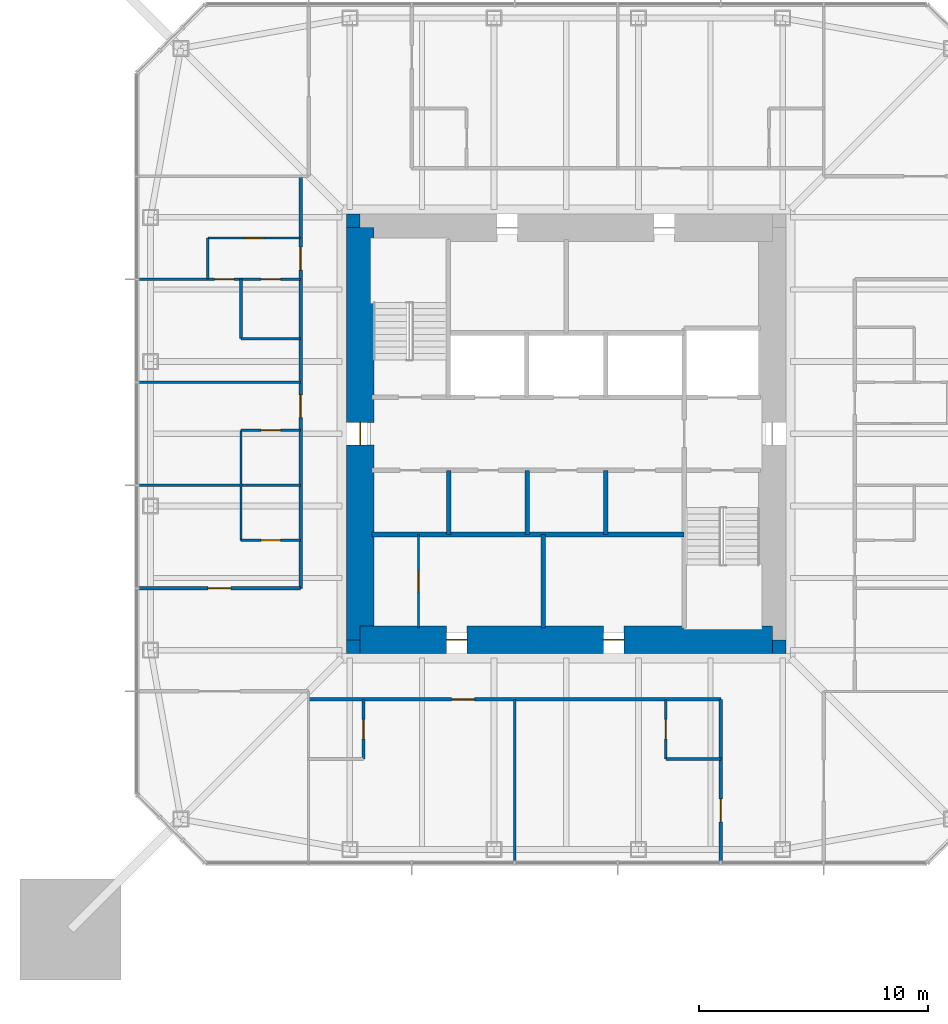
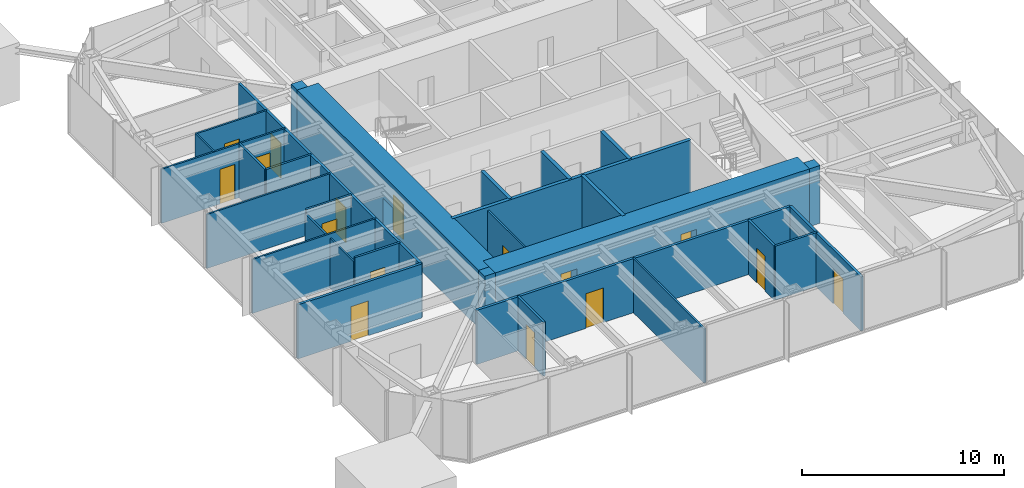
# One storey, part 6 of 11: 29 walls, 16 doors, 16 openings.
"""IFC4 building model written with IfcOpenShell, lengths in metres."""

from ifc_helpers import new_model, si_unit, direction, frame, frame_2d, origin, place, context, subcontext, project, spatial, rectangle, extrude, material, layer, layer_set, type_object, element, fill, save


model = new_model("IFC4")

# Units and contexts
model_context = context("Model", 3, precision=1e-05, world=origin(), true_north=direction((0.0, 1.0)))
body_context = subcontext(model_context, "Body", "Model", "MODEL_VIEW")
ifc_project = project(units=[si_unit("LENGTHUNIT", "METRE"), si_unit("AREAUNIT", "SQUARE_METRE"), si_unit("VOLUMEUNIT", "CUBIC_METRE"), si_unit("PLANEANGLEUNIT", "RADIAN"), si_unit("MASSUNIT", "GRAM", prefix="KILO")], contexts=[model_context])

# Site, building, storey
site_placement = place(None, origin())
site = spatial("IfcSite", under=ifc_project, at=site_placement, CompositionType="ELEMENT")
building_placement = place(site_placement, origin())
building = spatial("IfcBuilding", under=site, at=building_placement, Name="Iwan Alto Co-Living Towers", CompositionType="ELEMENT")
storey_placement = place(building_placement, frame((0.0, 0.0, 202.0)))
storey = spatial("IfcBuildingStorey", under=building, at=storey_placement, Name="L55", CompositionType="ELEMENT", Elevation=202.0)

# Wall, opening, door
ifc_material_1 = material(Name="Gypsum board")
ifc_layer_1 = layer(ifc_material_1, 0.02490234375, Name="Board", Category="Finish")
ifc_material_2 = material(Name="Steel ASTM A1003 ST33H cold-formed studs", Category="steel")
ifc_layer_2 = layer(ifc_material_2, 0.10009765625, Name="Studs", Category="Framing")
ifc_layer_3 = layer(ifc_material_1, 0.02490234375, Name="Board", Category="Finish")
ifc_layer_set_1 = layer_set([ifc_layer_1, ifc_layer_2, ifc_layer_3], Name="CORRIDOR WALL 150")
wall_type_1 = type_object("IfcWallType", Name="CORRIDOR WALL 150", PredefinedType="PARTITIONING", material=ifc_layer_set_1)
wall_1_placement = place(storey_placement, frame((-11.25, -11.60009765625, 0.0), z_axis=(0.0, 0.0, 1.0), x_axis=(1.0, 0.0, 0.0)))
wall_1 = element("IfcWall", 1, at=wall_1_placement, inside=storey, type_object=wall_type_1, Name="Partition L55", PredefinedType="PARTITIONING", context=body_context, shape_type="SweptSolid", body=[
    extrude(rectangle(XDim=18.0, YDim=0.14990234375, at=frame_2d((9.0, 0.0))), origin(), (0.0, 0.0, 1.0), 3.27001953125),
])
opening_1_placement = place(wall_1_placement, frame((6.25, 0.0, 0.0)))
opening_1 = element("IfcOpeningElement", 2, at=opening_1_placement, cuts=wall_1, Name="Opening D3", PredefinedType="OPENING", context=body_context, shape_type="SweptSolid", body=[
    extrude(rectangle(XDim=1.0, YDim=2.10009765625, at=frame_2d((0.5, 1.050048828125))), frame((0.0, 0.0849609375, 0.0), z_axis=(0.0, -1.0, 0.0), x_axis=(1.0, 0.0, 0.0)), (0.0, 0.0, 1.0), 0.169921875),
])
ifc_material_3 = material(Name="Steel frame with timber leaf", Category="steel")
door_type_1 = type_object("IfcDoorType", Name="FLAT ENTRANCE DOOR FD30S 1000X2100", OperationType="SINGLE_SWING_LEFT", PredefinedType="DOOR", material=ifc_material_3)
door_1_placement = place(opening_1_placement, frame((1.0, 0.0, 0.0), z_axis=(0.0, 0.0, 1.0), x_axis=(-1.0, 0.0, 0.0)))
door_1 = element("IfcDoor", 3, at=door_1_placement, inside=storey, type_object=door_type_1, Name="Studio door L55", OperationType="SINGLE_SWING_LEFT", OverallHeight=2.10009765625, OverallWidth=1.0, PredefinedType="DOOR", context=body_context, shape_type="SweptSolid", body=[
    extrude(rectangle(XDim=1.0, YDim=2.10009765625, at=frame_2d((0.5, 1.050048828125))), frame((0.0, 0.02490234375, 0.0), z_axis=(0.0, -1.0, 0.0), x_axis=(1.0, 0.0, 0.0)), (0.0, 0.0, 1.0), 0.050048828125),
])
fill(opening_1, door_1)

wall_2_placement = place(storey_placement, frame((-18.68994140625, -6.75, 0.0), z_axis=(0.0, 0.0, 1.0), x_axis=(1.0, 0.0, 0.0)))
wall_2 = element("IfcWall", 4, at=wall_2_placement, inside=storey, type_object=wall_type_1, Name="Partition L55", PredefinedType="PARTITIONING", context=body_context, shape_type="SweptSolid", body=[
    extrude(rectangle(XDim=7.08984375, YDim=0.14990234375, at=frame_2d((3.544921875, 0.0))), origin(), (0.0, 0.0, 1.0), 3.27001953125),
])
opening_2_placement = place(wall_2_placement, frame((3.044921875, 0.0, 0.0)))
opening_2 = element("IfcOpeningElement", 5, at=opening_2_placement, cuts=wall_2, Name="Opening D3", PredefinedType="OPENING", context=body_context, shape_type="SweptSolid", body=[
    extrude(rectangle(XDim=1.0, YDim=2.10009765625, at=frame_2d((0.5, 1.050048828125))), frame((0.0, 0.0849609375, 0.0), z_axis=(0.0, -1.0, 0.0), x_axis=(1.0, 0.0, 0.0)), (0.0, 0.0, 1.0), 0.169921875),
])
door_2_placement = place(opening_2_placement, origin())
door_2 = element("IfcDoor", 6, at=door_2_placement, inside=storey, type_object=door_type_1, Name="Studio door L55", OperationType="SINGLE_SWING_RIGHT", OverallHeight=2.10009765625, OverallWidth=1.0, PredefinedType="DOOR", context=body_context, shape_type="SweptSolid", body=[
    extrude(rectangle(XDim=1.0, YDim=2.10009765625, at=frame_2d((0.5, 1.050048828125))), frame((0.0, 0.02490234375, 0.0), z_axis=(0.0, -1.0, 0.0), x_axis=(1.0, 0.0, 0.0)), (0.0, 0.0, 1.0), 0.050048828125),
])
fill(opening_2, door_2)

wall_3_placement = place(storey_placement, frame((6.75, -18.68994140625, 0.0), z_axis=(0.0, 0.0, 1.0), x_axis=(0.0, 1.0, 0.0)))
wall_3 = element("IfcWall", 7, at=wall_3_placement, inside=storey, type_object=wall_type_1, Name="Partition L55", PredefinedType="PARTITIONING", context=body_context, shape_type="SweptSolid", body=[
    extrude(rectangle(XDim=7.08984375, YDim=0.14990234375, at=frame_2d((3.544921875, 0.0))), origin(), (0.0, 0.0, 1.0), 3.27001953125),
])
opening_3_placement = place(wall_3_placement, frame((1.7451171875, 0.0, 0.0)))
opening_3 = element("IfcOpeningElement", 8, at=opening_3_placement, cuts=wall_3, Name="Opening D3", PredefinedType="OPENING", context=body_context, shape_type="SweptSolid", body=[
    extrude(rectangle(XDim=1.0, YDim=2.10009765625, at=frame_2d((0.5, 1.050048828125))), frame((0.0, 0.0849609375, 0.0), z_axis=(0.0, -1.0, 0.0), x_axis=(1.0, 0.0, 0.0)), (0.0, 0.0, 1.0), 0.169921875),
])
door_3_placement = place(opening_3_placement, origin())
door_3 = element("IfcDoor", 9, at=door_3_placement, inside=storey, type_object=door_type_1, Name="Studio door L55", OperationType="SINGLE_SWING_RIGHT", OverallHeight=2.10009765625, OverallWidth=1.0, PredefinedType="DOOR", context=body_context, shape_type="SweptSolid", body=[
    extrude(rectangle(XDim=1.0, YDim=2.10009765625, at=frame_2d((0.5, 1.050048828125))), frame((0.0, 0.02490234375, 0.0), z_axis=(0.0, -1.0, 0.0), x_axis=(1.0, 0.0, 0.0)), (0.0, 0.0, 1.0), 0.050048828125),
])
fill(opening_3, door_3)

# Wall, openings, doors
wall_4_placement = place(storey_placement, frame((-11.60009765625, -6.75, 0.0), z_axis=(0.0, 0.0, 1.0), x_axis=(0.0, 1.0, 0.0)))
wall_4 = element("IfcWall", 10, at=wall_4_placement, inside=storey, type_object=wall_type_1, Name="Partition L55", PredefinedType="PARTITIONING", context=body_context, shape_type="SweptSolid", body=[
    extrude(rectangle(XDim=18.0, YDim=0.14990234375, at=frame_2d((9.0, 0.0))), origin(), (0.0, 0.0, 1.0), 3.27001953125),
])
opening_4_placement = place(wall_4_placement, frame((13.89990234375, 0.0, 0.0)))
opening_4 = element("IfcOpeningElement", 11, at=opening_4_placement, cuts=wall_4, Name="Opening D3", PredefinedType="OPENING", context=body_context, shape_type="SweptSolid", body=[
    extrude(rectangle(XDim=1.0, YDim=2.10009765625, at=frame_2d((0.5, 1.050048828125))), frame((0.0, 0.0849609375, 0.0), z_axis=(0.0, -1.0, 0.0), x_axis=(1.0, 0.0, 0.0)), (0.0, 0.0, 1.0), 0.169921875),
])
opening_5_placement = place(wall_4_placement, frame((7.449951171875, 0.0, 0.0)))
opening_5 = element("IfcOpeningElement", 12, at=opening_5_placement, cuts=wall_4, Name="Opening D3", PredefinedType="OPENING", context=body_context, shape_type="SweptSolid", body=[
    extrude(rectangle(XDim=1.0, YDim=2.10009765625, at=frame_2d((0.5, 1.050048828125))), frame((0.0, 0.0849609375, 0.0), z_axis=(0.0, -1.0, 0.0), x_axis=(1.0, 0.0, 0.0)), (0.0, 0.0, 1.0), 0.169921875),
])
door_4_placement = place(opening_4_placement, origin())
door_4 = element("IfcDoor", 13, at=door_4_placement, inside=storey, type_object=door_type_1, Name="Apartment foyer door L55", OperationType="SINGLE_SWING_LEFT", OverallHeight=2.10009765625, OverallWidth=1.0, PredefinedType="DOOR", context=body_context, shape_type="SweptSolid", body=[
    extrude(rectangle(XDim=1.0, YDim=2.10009765625, at=frame_2d((0.5, 1.050048828125))), frame((0.0, 0.02490234375, 0.0), z_axis=(0.0, -1.0, 0.0), x_axis=(1.0, 0.0, 0.0)), (0.0, 0.0, 1.0), 0.050048828125),
])
fill(opening_4, door_4)
door_5_placement = place(opening_5_placement, origin())
door_5 = element("IfcDoor", 14, at=door_5_placement, inside=storey, type_object=door_type_1, Name="Studio door L55", OperationType="SINGLE_SWING_LEFT", OverallHeight=2.10009765625, OverallWidth=1.0, PredefinedType="DOOR", context=body_context, shape_type="SweptSolid", body=[
    extrude(rectangle(XDim=1.0, YDim=2.10009765625, at=frame_2d((0.5, 1.050048828125))), frame((0.0, 0.02490234375, 0.0), z_axis=(0.0, -1.0, 0.0), x_axis=(1.0, 0.0, 0.0)), (0.0, 0.0, 1.0), 0.050048828125),
])
fill(opening_5, door_5)

# Walls
ifc_layer_4 = layer(ifc_material_1, 0.012451171875, Name="Board", Category="Finish")
ifc_layer_5 = layer(ifc_material_2, 0.074951171875, Name="Studs", Category="Framing")
ifc_layer_6 = layer(ifc_material_1, 0.012451171875, Name="Board", Category="Finish")
ifc_layer_set_2 = layer_set([ifc_layer_4, ifc_layer_5, ifc_layer_6], Name="PARTITION 100")
wall_type_2 = type_object("IfcWallType", Name="PARTITION 100", PredefinedType="PARTITIONING", material=ifc_layer_set_2)
for number, where, z_axis, x_axis, name in (
    (15, (-18.68994140625, -2.25, 0.0), (0.0, 0.0, 1.0), (1.0, 0.0, 0.0), "Partition L55"),
    (16, (-18.68994140625, 2.25, 0.0), (0.0, 0.0, 1.0), (1.0, 0.0, 0.0), "Partition L55"),
):
    element("IfcWall", number, at=place(storey_placement, frame(where, z_axis=z_axis, x_axis=x_axis)), inside=storey, type_object=wall_type_2, Name=name, PredefinedType="PARTITIONING", context=body_context, shape_type="SweptSolid", body=[
        extrude(rectangle(XDim=7.08984375, YDim=0.10009765625, at=frame_2d((3.544921875, 0.0))), origin(), (0.0, 0.0, 1.0), 3.27001953125),
    ])

# Wall, openings, doors
wall_5_placement = place(storey_placement, frame((-18.68994140625, 6.75, 0.0), z_axis=(0.0, 0.0, 1.0), x_axis=(1.0, 0.0, 0.0)))
wall_5 = element("IfcWall", 17, at=wall_5_placement, inside=storey, type_object=wall_type_2, Name="Partition L55", PredefinedType="PARTITIONING", context=body_context, shape_type="SweptSolid", body=[
    extrude(rectangle(XDim=7.08984375, YDim=0.10009765625, at=frame_2d((3.544921875, 0.0))), origin(), (0.0, 0.0, 1.0), 3.27001953125),
])
opening_6_placement = place(wall_5_placement, frame((3.340087890625, 0.0, 0.0)))
opening_6 = element("IfcOpeningElement", 18, at=opening_6_placement, cuts=wall_5, Name="Opening D2", PredefinedType="OPENING", context=body_context, shape_type="SweptSolid", body=[
    extrude(rectangle(XDim=0.85009765625, YDim=2.10009765625, at=frame_2d((0.425048828125, 1.050048828125))), frame((0.0, 0.06005859375, 0.0), z_axis=(0.0, -1.0, 0.0), x_axis=(1.0, 0.0, 0.0)), (0.0, 0.0, 1.0), 0.1201171875),
])
opening_7_placement = place(wall_5_placement, frame((5.364990234375, 0.0, 0.0)))
opening_7 = element("IfcOpeningElement", 19, at=opening_7_placement, cuts=wall_5, Name="Opening D2", PredefinedType="OPENING", context=body_context, shape_type="SweptSolid", body=[
    extrude(rectangle(XDim=0.85009765625, YDim=2.10009765625, at=frame_2d((0.425048828125, 1.050048828125))), frame((0.0, 0.06005859375, 0.0), z_axis=(0.0, -1.0, 0.0), x_axis=(1.0, 0.0, 0.0)), (0.0, 0.0, 1.0), 0.1201171875),
])
ifc_material_4 = material(Name="Timber leaf in steel frame", Category="steel")
door_type_2 = type_object("IfcDoorType", Name="ROOM DOOR 850X2100", OperationType="SINGLE_SWING_LEFT", PredefinedType="DOOR", material=ifc_material_4)
door_6_placement = place(opening_6_placement, frame((0.85009765625, 0.0, 0.0), z_axis=(0.0, 0.0, 1.0), x_axis=(-1.0, 0.0, 0.0)))
door_6 = element("IfcDoor", 20, at=door_6_placement, inside=storey, type_object=door_type_2, Name="Bedroom door L55", OperationType="SINGLE_SWING_LEFT", OverallHeight=2.10009765625, OverallWidth=0.85009765625, PredefinedType="DOOR", context=body_context, shape_type="SweptSolid", body=[
    extrude(rectangle(XDim=0.85009765625, YDim=2.10009765625, at=frame_2d((0.425048828125, 1.050048828125))), frame((0.0, 0.02490234375, 0.0), z_axis=(0.0, -1.0, 0.0), x_axis=(1.0, 0.0, 0.0)), (0.0, 0.0, 1.0), 0.050048828125),
])
fill(opening_6, door_6)
door_7_placement = place(opening_7_placement, frame((0.85009765625, 0.0, 0.0), z_axis=(0.0, 0.0, 1.0), x_axis=(-1.0, 0.0, 0.0)))
door_7 = element("IfcDoor", 21, at=door_7_placement, inside=storey, type_object=door_type_2, Name="Accessible bathroom door L55", OperationType="SINGLE_SWING_RIGHT", OverallHeight=2.10009765625, OverallWidth=0.85009765625, PredefinedType="DOOR", context=body_context, shape_type="SweptSolid", body=[
    extrude(rectangle(XDim=0.85009765625, YDim=2.10009765625, at=frame_2d((0.425048828125, 1.050048828125))), frame((0.0, 0.02490234375, 0.0), z_axis=(0.0, -1.0, 0.0), x_axis=(1.0, 0.0, 0.0)), (0.0, 0.0, 1.0), 0.050048828125),
])
fill(opening_7, door_7)

# Wall, opening, door
wall_6_placement = place(storey_placement, frame((-15.64990234375, 8.550048828125, 0.0), z_axis=(0.0, 0.0, 1.0), x_axis=(1.0, 0.0, 0.0)))
wall_6 = element("IfcWall", 22, at=wall_6_placement, inside=storey, type_object=wall_type_2, Name="Partition L55", PredefinedType="PARTITIONING", context=body_context, shape_type="SweptSolid", body=[
    extrude(rectangle(XDim=4.0498046875, YDim=0.10009765625, at=frame_2d((2.02490234375, 0.0))), origin(), (0.0, 0.0, 1.0), 3.27001953125),
])
opening_8_placement = place(wall_6_placement, frame((1.60009765625, 0.0, 0.0)))
opening_8 = element("IfcOpeningElement", 23, at=opening_8_placement, cuts=wall_6, Name="Opening D2", PredefinedType="OPENING", context=body_context, shape_type="SweptSolid", body=[
    extrude(rectangle(XDim=0.85009765625, YDim=2.10009765625, at=frame_2d((0.425048828125, 1.050048828125))), frame((0.0, 0.06005859375, 0.0), z_axis=(0.0, -1.0, 0.0), x_axis=(1.0, 0.0, 0.0)), (0.0, 0.0, 1.0), 0.1201171875),
])
door_8_placement = place(opening_8_placement, origin())
door_8 = element("IfcDoor", 24, at=door_8_placement, inside=storey, type_object=door_type_2, Name="Apartment foyer door L55", OperationType="SINGLE_SWING_RIGHT", OverallHeight=2.10009765625, OverallWidth=0.85009765625, PredefinedType="DOOR", context=body_context, shape_type="SweptSolid", body=[
    extrude(rectangle(XDim=0.85009765625, YDim=2.10009765625, at=frame_2d((0.425048828125, 1.050048828125))), frame((0.0, 0.02490234375, 0.0), z_axis=(0.0, -1.0, 0.0), x_axis=(1.0, 0.0, 0.0)), (0.0, 0.0, 1.0), 0.050048828125),
])
fill(opening_8, door_8)

# Wall
wall_7_placement = place(storey_placement, frame((-2.25, -18.68994140625, 0.0), z_axis=(0.0, 0.0, 1.0), x_axis=(0.0, 1.0, 0.0)))
element("IfcWall", 25, at=wall_7_placement, inside=storey, type_object=wall_type_2, Name="Partition L55", PredefinedType="PARTITIONING", context=body_context, shape_type="SweptSolid", body=[
    extrude(rectangle(XDim=7.08984375, YDim=0.10009765625, at=frame_2d((3.544921875, 0.0))), origin(), (0.0, 0.0, 1.0), 3.27001953125),
])

# Wall, opening, door
wall_8_placement = place(storey_placement, frame((-6.449951171875, -8.489990234375, 0.0), z_axis=(0.0, 0.0, 1.0), x_axis=(0.0, 1.0, 0.0)))
wall_8 = element("IfcWall", 26, at=wall_8_placement, inside=storey, type_object=wall_type_2, Name="Partition L55", PredefinedType="PARTITIONING", context=body_context, shape_type="SweptSolid", body=[
    extrude(rectangle(XDim=4.090087890625, YDim=0.10009765625, at=frame_2d((2.044921875, 0.0))), origin(), (0.0, 0.0, 1.0), 3.300048828125),
])
opening_9_placement = place(wall_8_placement, frame((1.594970703125, 0.0, 0.0)))
opening_9 = element("IfcOpeningElement", 27, at=opening_9_placement, cuts=wall_8, Name="Opening D16", PredefinedType="OPENING", context=body_context, shape_type="SweptSolid", body=[
    extrude(rectangle(XDim=0.89990234375, YDim=2.10009765625, at=frame_2d((0.449951171875, 1.050048828125))), frame((0.0, 0.06005859375, 0.0), z_axis=(0.0, -1.0, 0.0), x_axis=(1.0, 0.0, 0.0)), (0.0, 0.0, 1.0), 0.1201171875),
])
ifc_material_5 = material(Name="Timber leaf in steel frame", Category="steel")
door_type_3 = type_object("IfcDoorType", Name="CUPBOARD SLIDING DOOR 900X2100", OperationType="SLIDING_TO_LEFT", PredefinedType="DOOR", material=ifc_material_5)
door_9_placement = place(opening_9_placement, origin())
door_9 = element("IfcDoor", 28, at=door_9_placement, inside=storey, type_object=door_type_3, Name="Bulky waste store door L55", OperationType="SLIDING_TO_LEFT", OverallHeight=2.10009765625, OverallWidth=0.89990234375, PredefinedType="DOOR", context=body_context, shape_type="SweptSolid", body=[
    extrude(rectangle(XDim=0.89990234375, YDim=2.10009765625, at=frame_2d((0.449951171875, 1.050048828125))), frame((0.0, 0.02490234375, 0.0), z_axis=(0.0, -1.0, 0.0), x_axis=(1.0, 0.0, 0.0)), (0.0, 0.0, 1.0), 0.050048828125),
])
fill(opening_9, door_9)

# Walls
wall_9_placement = place(storey_placement, frame((-14.199951171875, -4.64990234375, 0.0), z_axis=(0.0, 0.0, 1.0), x_axis=(0.0, 1.0, 0.0)))
element("IfcWall", 29, at=wall_9_placement, inside=storey, type_object=wall_type_2, Name="Partition L55", PredefinedType="PARTITIONING", context=body_context, shape_type="SweptSolid", body=[
    extrude(rectangle(XDim=4.7998046875, YDim=0.10009765625, at=frame_2d((2.39990234375, 0.0))), origin(), (0.0, 0.0, 1.0), 3.0),
])
wall_10_placement = place(storey_placement, frame((-15.64990234375, 6.75, 0.0), z_axis=(0.0, 0.0, 1.0), x_axis=(0.0, 1.0, 0.0)))
element("IfcWall", 30, at=wall_10_placement, inside=storey, type_object=wall_type_2, Name="Partition L55", PredefinedType="PARTITIONING", context=body_context, shape_type="SweptSolid", body=[
    extrude(rectangle(XDim=1.800048828125, YDim=0.10009765625, at=frame_2d((0.89990234375, 0.0))), origin(), (0.0, 0.0, 1.0), 3.27001953125),
])
ifc_material_6 = material(Name="Concrete f'c 70 MPa", Category="concrete")
ifc_layer_7 = layer(ifc_material_6, 0.199951171875)
ifc_layer_set_3 = layer_set([ifc_layer_7], Name="SHAFT WALL 200")
wall_type_3 = type_object("IfcWallType", Name="SHAFT WALL 200", PredefinedType="SOLIDWALL", material=ifc_layer_set_3)
wall_11_placement = place(storey_placement, frame((-8.489990234375, -4.39990234375, 0.0), z_axis=(0.0, 0.0, 1.0), x_axis=(1.0, 0.0, 0.0)))
element("IfcWall", 31, at=wall_11_placement, inside=storey, type_object=wall_type_3, Name="Shaft wall L55", PredefinedType="SOLIDWALL", context=body_context, shape_type="SweptSolid", body=[
    extrude(rectangle(XDim=13.639892578125, YDim=0.199951171875, at=frame_2d((6.81982421875, 0.0))), origin(), (0.0, 0.0, 1.0), 3.5),
])
wall_12_placement = place(storey_placement, frame((1.72509765625, -4.39990234375, 0.0), z_axis=(0.0, 0.0, 1.0), x_axis=(0.0, 1.0, 0.0)))
element("IfcWall", 32, at=wall_12_placement, inside=storey, type_object=wall_type_3, Name="Shaft wall L55", PredefinedType="SOLIDWALL", context=body_context, shape_type="SweptSolid", body=[
    extrude(rectangle(XDim=2.7998046875, YDim=0.199951171875, at=frame_2d((1.39990234375, 0.0))), origin(), (0.0, 0.0, 1.0), 3.5),
])
wall_13_placement = place(storey_placement, frame((-1.0, -8.489990234375, 0.0), z_axis=(0.0, 0.0, 1.0), x_axis=(0.0, 1.0, 0.0)))
element("IfcWall", 33, at=wall_13_placement, inside=storey, type_object=wall_type_3, Name="Shaft wall L55", PredefinedType="SOLIDWALL", context=body_context, shape_type="SweptSolid", body=[
    extrude(rectangle(XDim=4.090087890625, YDim=0.199951171875, at=frame_2d((2.044921875, 0.0))), origin(), (0.0, 0.0, 1.0), 3.5),
])
for number, where, z_axis, x_axis, name in (
    (34, (-1.699951171875, -4.39990234375, 0.0), (0.0, 0.0, 1.0), (0.0, 1.0, 0.0), "Shaft wall L55"),
    (35, (-5.125, -4.39990234375, 0.0), (0.0, 0.0, 1.0), (0.0, 1.0, 0.0), "Shaft wall L55"),
):
    element("IfcWall", number, at=place(storey_placement, frame(where, z_axis=z_axis, x_axis=x_axis)), inside=storey, type_object=wall_type_3, Name=name, PredefinedType="SOLIDWALL", context=body_context, shape_type="SweptSolid", body=[
        extrude(rectangle(XDim=2.7998046875, YDim=0.199951171875, at=frame_2d((1.39990234375, 0.0))), origin(), (0.0, 0.0, 1.0), 3.5),
    ])
ifc_material_7 = material(Name="Concrete f'c 70 MPa", Category="concrete")
ifc_layer_8 = layer(ifc_material_7, 0.60009765625)
ifc_layer_set_4 = layer_set([ifc_layer_8], Name="T1 CORE CORNER FILL 600")
wall_type_4 = type_object("IfcWallType", Name="T1 CORE CORNER FILL 600", PredefinedType="SOLIDWALL", material=ifc_layer_set_4)
for number, where, z_axis, x_axis, name in (
    (36, (-9.60009765625, -9.300048828125, 0.0), (0.0, 0.0, 1.0), (1.0, 0.0, 0.0), "T1 core corner SW L55"),
    (37, (9.0, -9.300048828125, 0.0), (0.0, 0.0, 1.0), (1.0, 0.0, 0.0), "T1 core corner SE L55"),
    (38, (-9.60009765625, 9.300048828125, 0.0), (0.0, 0.0, 1.0), (1.0, 0.0, 0.0), "T1 core corner NW L55"),
):
    element("IfcWall", number, at=place(storey_placement, frame(where, z_axis=z_axis, x_axis=x_axis)), inside=storey, type_object=wall_type_4, Name=name, PredefinedType="SOLIDWALL", context=body_context, shape_type="SweptSolid", body=[
        extrude(rectangle(XDim=0.60009765625, YDim=0.60009765625, at=frame_2d((0.300048828125, 0.0))), origin(), (0.0, 0.0, 1.0), 3.5),
    ])

# Wall, openings, doors
ifc_material_8 = material(Name="Concrete f'c 70 MPa", Category="concrete")
ifc_layer_9 = layer(ifc_material_8, 1.199951171875)
ifc_layer_set_5 = layer_set([ifc_layer_9], Name="T1 CORE WALL 1200")
wall_type_5 = type_object("IfcWallType", Name="T1 CORE WALL 1200", PredefinedType="SHEAR", material=ifc_layer_set_5)
wall_14_placement = place(storey_placement, frame((-9.0, -9.0, 0.0), z_axis=(0.0, 0.0, 1.0), x_axis=(1.0, 0.0, 0.0)))
wall_14 = element("IfcWall", 39, at=wall_14_placement, inside=storey, type_object=wall_type_5, Name="T1 core wall S L55", PredefinedType="SHEAR", context=body_context, shape_type="SweptSolid", body=[
    extrude(rectangle(XDim=18.0, YDim=1.199951171875, at=frame_2d((9.0, 0.0))), origin(), (0.0, 0.0, 1.0), 3.5),
])
opening_10_placement = place(wall_14_placement, frame((3.77490234375, 0.0, 0.0)))
opening_10 = element("IfcOpeningElement", 40, at=opening_10_placement, cuts=wall_14, Name="Opening D8", PredefinedType="OPENING", context=body_context, shape_type="SweptSolid", body=[
    extrude(rectangle(XDim=0.89990234375, YDim=2.10009765625, at=frame_2d((0.449951171875, 1.050048828125))), frame((0.0, 0.60986328125, 0.0), z_axis=(0.0, -1.0, 0.0), x_axis=(1.0, 0.0, 0.0)), (0.0, 0.0, 1.0), 1.219970703125),
])
opening_11_placement = place(wall_14_placement, frame((10.625, 0.0, 0.0)))
opening_11 = element("IfcOpeningElement", 41, at=opening_11_placement, cuts=wall_14, Name="Opening D8", PredefinedType="OPENING", context=body_context, shape_type="SweptSolid", body=[
    extrude(rectangle(XDim=0.89990234375, YDim=2.10009765625, at=frame_2d((0.449951171875, 1.050048828125))), frame((0.0, 0.60986328125, 0.0), z_axis=(0.0, -1.0, 0.0), x_axis=(1.0, 0.0, 0.0)), (0.0, 0.0, 1.0), 1.219970703125),
])
ifc_material_9 = material(Name="Steel frame with timber leaf", Category="steel")
door_type_4 = type_object("IfcDoorType", Name="RISER DOOR FD120 900X2100", OperationType="SINGLE_SWING_LEFT", PredefinedType="DOOR", material=ifc_material_9)
door_10_placement = place(opening_10_placement, origin())
door_10 = element("IfcDoor", 42, at=door_10_placement, inside=storey, type_object=door_type_4, Name="Refuse room core door L55", OperationType="SINGLE_SWING_LEFT", OverallHeight=2.10009765625, OverallWidth=0.89990234375, PredefinedType="DOOR", context=body_context, shape_type="SweptSolid", body=[
    extrude(rectangle(XDim=0.89990234375, YDim=2.10009765625, at=frame_2d((0.449951171875, 1.050048828125))), frame((0.0, 0.02490234375, 0.0), z_axis=(0.0, -1.0, 0.0), x_axis=(1.0, 0.0, 0.0)), (0.0, 0.0, 1.0), 0.050048828125),
])
fill(opening_10, door_10)
door_11_placement = place(opening_11_placement, origin())
door_11 = element("IfcDoor", 43, at=door_11_placement, inside=storey, type_object=door_type_4, Name="Telecom riser core door L55", OperationType="SINGLE_SWING_LEFT", OverallHeight=2.10009765625, OverallWidth=0.89990234375, PredefinedType="DOOR", context=body_context, shape_type="SweptSolid", body=[
    extrude(rectangle(XDim=0.89990234375, YDim=2.10009765625, at=frame_2d((0.449951171875, 1.050048828125))), frame((0.0, 0.02490234375, 0.0), z_axis=(0.0, -1.0, 0.0), x_axis=(1.0, 0.0, 0.0)), (0.0, 0.0, 1.0), 0.050048828125),
])
fill(opening_11, door_11)

# Wall, opening, door
wall_15_placement = place(storey_placement, frame((-9.0, 9.0, 0.0), z_axis=(0.0, 0.0, 1.0), x_axis=(0.0, -1.0, 0.0)))
wall_15 = element("IfcWall", 44, at=wall_15_placement, inside=storey, type_object=wall_type_5, Name="T1 core wall W L55", PredefinedType="SHEAR", context=body_context, shape_type="SweptSolid", body=[
    extrude(rectangle(XDim=18.0, YDim=1.199951171875, at=frame_2d((9.0, 0.0))), origin(), (0.0, 0.0, 1.0), 3.5),
])
opening_12_placement = place(wall_15_placement, frame((8.5, 0.0, 0.0)))
opening_12 = element("IfcOpeningElement", 45, at=opening_12_placement, cuts=wall_15, Name="Opening D7", PredefinedType="OPENING", context=body_context, shape_type="SweptSolid", body=[
    extrude(rectangle(XDim=1.0, YDim=2.10009765625, at=frame_2d((0.5, 1.050048828125))), frame((0.0, 0.60986328125, 0.0), z_axis=(0.0, -1.0, 0.0), x_axis=(1.0, 0.0, 0.0)), (0.0, 0.0, 1.0), 1.219970703125),
])
ifc_material_10 = material(Name="Steel frame with timber leaf", Category="steel")
door_type_5 = type_object("IfcDoorType", Name="CORE DOOR FD120S 1000X2100", OperationType="SINGLE_SWING_LEFT", PredefinedType="DOOR", material=ifc_material_10)
door_12_placement = place(opening_12_placement, origin())
door_12 = element("IfcDoor", 46, at=door_12_placement, inside=storey, type_object=door_type_5, Name="Lift lobby core door L55", OperationType="SINGLE_SWING_RIGHT", OverallHeight=2.10009765625, OverallWidth=1.0, PredefinedType="DOOR", context=body_context, shape_type="SweptSolid", body=[
    extrude(rectangle(XDim=1.0, YDim=2.10009765625, at=frame_2d((0.5, 1.050048828125))), frame((0.0, 0.02490234375, 0.0), z_axis=(0.0, -1.0, 0.0), x_axis=(1.0, 0.0, 0.0)), (0.0, 0.0, 1.0), 0.050048828125),
])
fill(opening_12, door_12)

# Wall
ifc_material_11 = material(Name="Cement board")
ifc_layer_10 = layer(ifc_material_11, 0.012451171875, Name="Board", Category="Finish")
ifc_layer_11 = layer(ifc_material_2, 0.094970703125, Name="Studs", Category="Framing")
ifc_layer_12 = layer(ifc_material_11, 0.012451171875, Name="Board", Category="Finish")
ifc_layer_set_6 = layer_set([ifc_layer_10, ifc_layer_11, ifc_layer_12], Name="WET AREA PARTITION 120")
wall_type_6 = type_object("IfcWallType", Name="WET AREA PARTITION 120", PredefinedType="PARTITIONING", material=ifc_layer_set_6)
wall_16_placement = place(storey_placement, frame((4.35009765625, -14.199951171875, 0.0), z_axis=(0.0, 0.0, 1.0), x_axis=(1.0, 0.0, 0.0)))
element("IfcWall", 47, at=wall_16_placement, inside=storey, type_object=wall_type_6, Name="Partition L55", PredefinedType="PARTITIONING", context=body_context, shape_type="SweptSolid", body=[
    extrude(rectangle(XDim=2.39990234375, YDim=0.1201171875, at=frame_2d((1.199951171875, 0.0))), origin(), (0.0, 0.0, 1.0), 3.27001953125),
])

# Wall, opening, door
wall_17_placement = place(storey_placement, frame((-14.199951171875, -4.64990234375, 0.0), z_axis=(0.0, 0.0, 1.0), x_axis=(1.0, 0.0, 0.0)))
wall_17 = element("IfcWall", 48, at=wall_17_placement, inside=storey, type_object=wall_type_6, Name="Partition L55", PredefinedType="PARTITIONING", context=body_context, shape_type="SweptSolid", body=[
    extrude(rectangle(XDim=2.599853515625, YDim=0.1201171875, at=frame_2d((1.2998046875, 0.0))), origin(), (0.0, 0.0, 1.0), 3.27001953125),
])
opening_13_placement = place(wall_17_placement, frame((0.875, 0.0, 0.0)))
opening_13 = element("IfcOpeningElement", 49, at=opening_13_placement, cuts=wall_17, Name="Opening D2", PredefinedType="OPENING", context=body_context, shape_type="SweptSolid", body=[
    extrude(rectangle(XDim=0.85009765625, YDim=2.10009765625, at=frame_2d((0.425048828125, 1.050048828125))), frame((0.0, 0.070068359375, 0.0), z_axis=(0.0, -1.0, 0.0), x_axis=(1.0, 0.0, 0.0)), (0.0, 0.0, 1.0), 0.14013671875),
])
door_13_placement = place(opening_13_placement, frame((0.85009765625, 0.0, 0.0), z_axis=(0.0, 0.0, 1.0), x_axis=(-1.0, 0.0, 0.0)))
door_13 = element("IfcDoor", 50, at=door_13_placement, inside=storey, type_object=door_type_2, Name="En-suite shower room door L55", OperationType="SINGLE_SWING_LEFT", OverallHeight=2.10009765625, OverallWidth=0.85009765625, PredefinedType="DOOR", context=body_context, shape_type="SweptSolid", body=[
    extrude(rectangle(XDim=0.85009765625, YDim=2.10009765625, at=frame_2d((0.425048828125, 1.050048828125))), frame((0.0, 0.02490234375, 0.0), z_axis=(0.0, -1.0, 0.0), x_axis=(1.0, 0.0, 0.0)), (0.0, 0.0, 1.0), 0.050048828125),
])
fill(opening_13, door_13)

wall_18_placement = place(storey_placement, frame((-14.199951171875, 0.14990234375, 0.0), z_axis=(0.0, 0.0, 1.0), x_axis=(1.0, 0.0, 0.0)))
wall_18 = element("IfcWall", 51, at=wall_18_placement, inside=storey, type_object=wall_type_6, Name="Partition L55", PredefinedType="PARTITIONING", context=body_context, shape_type="SweptSolid", body=[
    extrude(rectangle(XDim=2.599853515625, YDim=0.1201171875, at=frame_2d((1.2998046875, 0.0))), origin(), (0.0, 0.0, 1.0), 3.27001953125),
])
opening_14_placement = place(wall_18_placement, frame((0.875, 0.0, 0.0)))
opening_14 = element("IfcOpeningElement", 52, at=opening_14_placement, cuts=wall_18, Name="Opening D2", PredefinedType="OPENING", context=body_context, shape_type="SweptSolid", body=[
    extrude(rectangle(XDim=0.85009765625, YDim=2.10009765625, at=frame_2d((0.425048828125, 1.050048828125))), frame((0.0, 0.070068359375, 0.0), z_axis=(0.0, -1.0, 0.0), x_axis=(1.0, 0.0, 0.0)), (0.0, 0.0, 1.0), 0.14013671875),
])
door_14_placement = place(opening_14_placement, origin())
door_14 = element("IfcDoor", 53, at=door_14_placement, inside=storey, type_object=door_type_2, Name="En-suite shower room door L55", OperationType="SINGLE_SWING_RIGHT", OverallHeight=2.10009765625, OverallWidth=0.85009765625, PredefinedType="DOOR", context=body_context, shape_type="SweptSolid", body=[
    extrude(rectangle(XDim=0.85009765625, YDim=2.10009765625, at=frame_2d((0.425048828125, 1.050048828125))), frame((0.0, 0.02490234375, 0.0), z_axis=(0.0, -1.0, 0.0), x_axis=(1.0, 0.0, 0.0)), (0.0, 0.0, 1.0), 0.050048828125),
])
fill(opening_14, door_14)

# Wall
wall_19_placement = place(storey_placement, frame((-14.199951171875, 4.14990234375, 0.0), z_axis=(0.0, 0.0, 1.0), x_axis=(1.0, 0.0, 0.0)))
element("IfcWall", 54, at=wall_19_placement, inside=storey, type_object=wall_type_6, Name="Partition L55", PredefinedType="PARTITIONING", context=body_context, shape_type="SweptSolid", body=[
    extrude(rectangle(XDim=2.599853515625, YDim=0.1201171875, at=frame_2d((1.2998046875, 0.0))), origin(), (0.0, 0.0, 1.0), 3.27001953125),
])

# Wall, opening, door
wall_20_placement = place(storey_placement, frame((4.35009765625, -14.199951171875, 0.0), z_axis=(0.0, 0.0, 1.0), x_axis=(0.0, 1.0, 0.0)))
wall_20 = element("IfcWall", 55, at=wall_20_placement, inside=storey, type_object=wall_type_6, Name="Partition L55", PredefinedType="PARTITIONING", context=body_context, shape_type="SweptSolid", body=[
    extrude(rectangle(XDim=2.599853515625, YDim=0.1201171875, at=frame_2d((1.2998046875, 0.0))), origin(), (0.0, 0.0, 1.0), 3.27001953125),
])
opening_15_placement = place(wall_20_placement, frame((0.875, 0.0, 0.0)))
opening_15 = element("IfcOpeningElement", 56, at=opening_15_placement, cuts=wall_20, Name="Opening D2", PredefinedType="OPENING", context=body_context, shape_type="SweptSolid", body=[
    extrude(rectangle(XDim=0.85009765625, YDim=2.10009765625, at=frame_2d((0.425048828125, 1.050048828125))), frame((0.0, 0.070068359375, 0.0), z_axis=(0.0, -1.0, 0.0), x_axis=(1.0, 0.0, 0.0)), (0.0, 0.0, 1.0), 0.14013671875),
])
door_15_placement = place(opening_15_placement, origin())
door_15 = element("IfcDoor", 57, at=door_15_placement, inside=storey, type_object=door_type_2, Name="En-suite shower room door L55", OperationType="SINGLE_SWING_RIGHT", OverallHeight=2.10009765625, OverallWidth=0.85009765625, PredefinedType="DOOR", context=body_context, shape_type="SweptSolid", body=[
    extrude(rectangle(XDim=0.85009765625, YDim=2.10009765625, at=frame_2d((0.425048828125, 1.050048828125))), frame((0.0, 0.02490234375, 0.0), z_axis=(0.0, -1.0, 0.0), x_axis=(1.0, 0.0, 0.0)), (0.0, 0.0, 1.0), 0.050048828125),
])
fill(opening_15, door_15)

wall_21_placement = place(storey_placement, frame((-8.85009765625, -14.199951171875, 0.0), z_axis=(0.0, 0.0, 1.0), x_axis=(0.0, 1.0, 0.0)))
wall_21 = element("IfcWall", 58, at=wall_21_placement, inside=storey, type_object=wall_type_6, Name="Partition L55", PredefinedType="PARTITIONING", context=body_context, shape_type="SweptSolid", body=[
    extrude(rectangle(XDim=2.599853515625, YDim=0.1201171875, at=frame_2d((1.2998046875, 0.0))), origin(), (0.0, 0.0, 1.0), 3.27001953125),
])
opening_16_placement = place(wall_21_placement, frame((0.875, 0.0, 0.0)))
opening_16 = element("IfcOpeningElement", 59, at=opening_16_placement, cuts=wall_21, Name="Opening D2", PredefinedType="OPENING", context=body_context, shape_type="SweptSolid", body=[
    extrude(rectangle(XDim=0.85009765625, YDim=2.10009765625, at=frame_2d((0.425048828125, 1.050048828125))), frame((0.0, 0.070068359375, 0.0), z_axis=(0.0, -1.0, 0.0), x_axis=(1.0, 0.0, 0.0)), (0.0, 0.0, 1.0), 0.14013671875),
])
door_16_placement = place(opening_16_placement, frame((0.85009765625, 0.0, 0.0), z_axis=(0.0, 0.0, 1.0), x_axis=(-1.0, 0.0, 0.0)))
door_16 = element("IfcDoor", 60, at=door_16_placement, inside=storey, type_object=door_type_2, Name="En-suite shower room door L55", OperationType="SINGLE_SWING_LEFT", OverallHeight=2.10009765625, OverallWidth=0.85009765625, PredefinedType="DOOR", context=body_context, shape_type="SweptSolid", body=[
    extrude(rectangle(XDim=0.85009765625, YDim=2.10009765625, at=frame_2d((0.425048828125, 1.050048828125))), frame((0.0, 0.02490234375, 0.0), z_axis=(0.0, -1.0, 0.0), x_axis=(1.0, 0.0, 0.0)), (0.0, 0.0, 1.0), 0.050048828125),
])
fill(opening_16, door_16)

# Wall
wall_22_placement = place(storey_placement, frame((-14.199951171875, 4.14990234375, 0.0), z_axis=(0.0, 0.0, 1.0), x_axis=(0.0, 1.0, 0.0)))
element("IfcWall", 61, at=wall_22_placement, inside=storey, type_object=wall_type_6, Name="Partition L55", PredefinedType="PARTITIONING", context=body_context, shape_type="SweptSolid", body=[
    extrude(rectangle(XDim=2.60009765625, YDim=0.1201171875, at=frame_2d((1.300048828125, 0.0))), origin(), (0.0, 0.0, 1.0), 3.27001953125),
])

save(model, "model.ifc")
